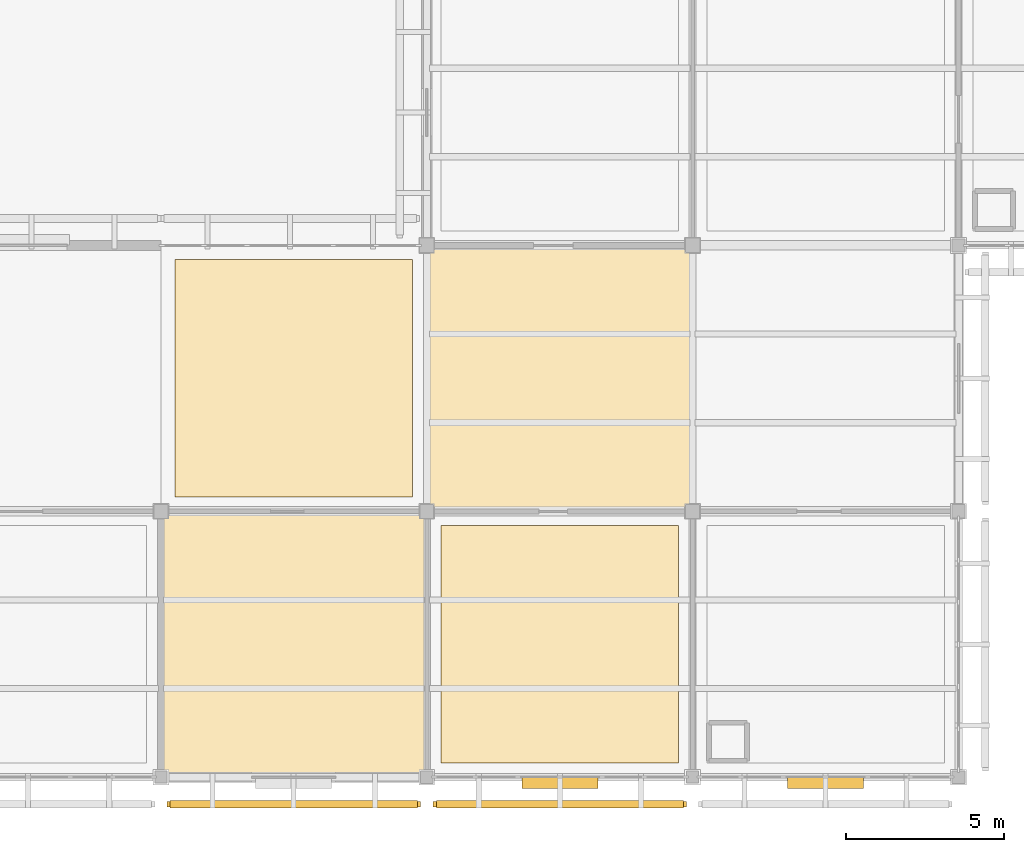
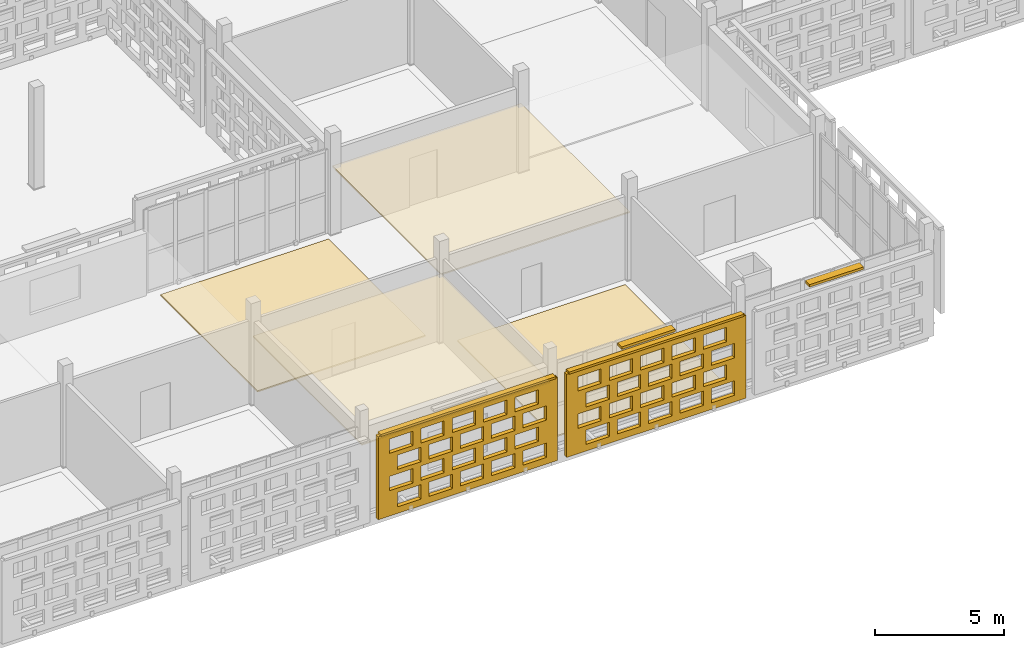
# One storey, part 138 of 203: 6 coverings, 4 shading devices, 40 openings.
"""IFC4 building model written with IfcOpenShell, lengths in metres."""

from ifc_helpers import new_model, si_unit, direction, frame, frame_2d, origin, origin_2d, place, context, subcontext, project, spatial, rectangle, extrude, material, layer, layer_set, type_object, element, save


model = new_model("IFC4")

# Units and contexts
model_context = context("Model", 3, precision=1e-05, world=origin(), true_north=direction((0.0, 1.0)))
body_context = subcontext(model_context, "Body", "Model", "MODEL_VIEW")
ifc_project = project(units=[si_unit("LENGTHUNIT", "METRE"), si_unit("AREAUNIT", "SQUARE_METRE"), si_unit("VOLUMEUNIT", "CUBIC_METRE"), si_unit("PLANEANGLEUNIT", "RADIAN"), si_unit("MASSUNIT", "GRAM", prefix="KILO")], contexts=[model_context])

# Site, building, storey
site_placement = place(None, origin())
site = spatial("IfcSite", under=ifc_project, at=site_placement, CompositionType="ELEMENT")
building_placement = place(site_placement, origin())
building = spatial("IfcBuilding", under=site, at=building_placement, Name="Varnapada Polytechnic", CompositionType="ELEMENT")
storey_placement = place(building_placement, frame((0.0, 0.0, 4.800048828125)))
storey = spatial("IfcBuildingStorey", under=building, at=storey_placement, Name="L01", CompositionType="ELEMENT", Elevation=4.800048828125)

# Coverings
ifc_material_1 = material(Name="Anti-Static Raised Laboratory Flooring")
ifc_layer_1 = layer(ifc_material_1, 0.06005859375)
ifc_layer_set_1 = layer_set([ifc_layer_1], Name="Anti-Static Raised Laboratory Flooring")
covering_type_1 = type_object("IfcCoveringType", Name="Floor Finish FLR-02", PredefinedType="FLOORING", material=ifc_layer_set_1)
for number, where, z_axis, x_axis, name in (
    (1, (37.800048828125, 12.60009765625, 0.0), (0.0, 0.0, 1.0), (1.0, 0.0, 0.0), "L01 floor finish panel (5,2)"),
    (2, (46.199951171875, 4.199951171875, 0.0), (0.0, 0.0, 1.0), (1.0, 0.0, 0.0), "L01 floor finish panel (6,1)"),
):
    element("IfcCovering", number, at=place(storey_placement, frame(where, z_axis=z_axis, x_axis=x_axis)), inside=storey, type_object=covering_type_1, Name=name, PredefinedType="FLOORING", context=body_context, shape_type="SweptSolid", body=[
        extrude(rectangle(XDim=7.5, YDim=7.5, at=origin_2d()), origin(), (0.0, 0.0, 1.0), 0.06005859375),
    ])

# Shading devices
ifc_material_2 = material(Name="Anodised aluminium", Category="aluminium")
ifc_layer_2 = layer(ifc_material_2, 0.35009765625)
ifc_layer_set_2 = layer_set([ifc_layer_2], Name="Anodised aluminium")
shading_device_type_1 = type_object("IfcShadingDeviceType", Name="Solar Louvre LVR-01", PredefinedType="JALOUSIE", material=ifc_layer_set_2)
for number, where, z_axis, x_axis, name in (
    (3, (46.205078125, -0.179931640625, 3.760009765625), (0.0, 0.0, 1.0), (-1.0, 0.0, 0.0), "L01 aluminium sun louvre 37"),
    (4, (54.594970703125, -0.179931640625, 3.760009765625), (0.0, 0.0, 1.0), (-1.0, 0.0, 0.0), "L01 aluminium sun louvre 43"),
):
    element("IfcShadingDevice", number, at=place(storey_placement, frame(where, z_axis=z_axis, x_axis=x_axis)), inside=storey, type_object=shading_device_type_1, Name=name, PredefinedType="JALOUSIE", context=body_context, shape_type="SweptSolid", body=[
        extrude(rectangle(XDim=2.39990234375, YDim=0.340087890625, at=origin_2d()), origin(), (0.0, 0.0, 1.0), 0.1201171875),
    ])

# Coverings
ifc_material_3 = material(Name="Deep Acoustic Auditorium Cloud Baffle")
ifc_layer_3 = layer(ifc_material_3, 0.06494140625)
ifc_layer_set_3 = layer_set([ifc_layer_3], Name="Deep Acoustic Auditorium Cloud Baffle")
covering_type_2 = type_object("IfcCoveringType", Name="Suspended Ceiling CLG-07", PredefinedType="CEILING", material=ifc_layer_set_3)
for number, where, z_axis, x_axis, name in (
    (5, (37.800048828125, 4.199951171875, 3.017578125), (0.0, 0.0, 1.0), (1.0, 0.0, 0.0), "L01 suspended acoustic ceiling (5,1)"),
    (6, (46.199951171875, 12.60009765625, 3.017578125), (0.0, 0.0, 1.0), (1.0, 0.0, 0.0), "L01 suspended acoustic ceiling (6,2)"),
):
    element("IfcCovering", number, at=place(storey_placement, frame(where, z_axis=z_axis, x_axis=x_axis)), inside=storey, type_object=covering_type_2, Name=name, PredefinedType="CEILING", context=body_context, shape_type="SweptSolid", body=[
        extrude(rectangle(XDim=8.419921875, YDim=8.419921875, at=origin_2d()), origin(), (0.0, 0.0, 1.0), 0.06494140625),
    ])

# Covering, openings
ifc_material_4 = material(Name="Earth-toned architectural terracotta screen block", Category="masonry")
ifc_layer_4 = layer(ifc_material_4, 0.1201171875)
ifc_layer_set_4 = layer_set([ifc_layer_4], Name="Earth-toned architectural terracotta screen block")
covering_type_3 = type_object("IfcCoveringType", Name="Terracotta Screen Cladding CLD-01", PredefinedType="CLADDING", material=ifc_layer_set_4)
covering_1_placement = place(storey_placement, frame((41.800048828125, -0.85009765625, 0.0), z_axis=(0.0, 0.0, 1.0), x_axis=(-1.0, 0.0, 0.0)))
covering_1 = element("IfcCovering", 7, at=covering_1_placement, inside=storey, type_object=covering_type_3, Name="L01 perforated terracotta block screen (28)", PredefinedType="CLADDING", context=body_context, shape_type="SweptSolid", body=[
    extrude(rectangle(XDim=8.010009765625, YDim=0.179931640625, at=frame_2d((4.0048828125, 0.0))), origin(), (0.0, 0.0, 1.0), 3.919921875),
])
opening_1_placement = place(covering_1_placement, frame((0.5048828125, 0.0, 0.313720703125)))
element("IfcOpeningElement", 8, at=opening_1_placement, cuts=covering_1, Name="Screen perforation TBS-L01-027.1", PredefinedType="OPENING", context=body_context, shape_type="SweptSolid", body=[
    extrude(rectangle(XDim=1.0400390625, YDim=0.679931640625, at=frame_2d((0.52001953125, 0.33984375))), frame((0.0, 0.099853515625, 0.0), z_axis=(0.0, -1.0, 0.0), x_axis=(1.0, 0.0, 0.0)), (0.0, 0.0, 1.0), 0.199951171875),
])
opening_2_placement = place(covering_1_placement, frame((1.905029296875, 0.0, 0.313720703125)))
element("IfcOpeningElement", 9, at=opening_2_placement, cuts=covering_1, Name="Screen perforation TBS-L01-027.2", PredefinedType="OPENING", context=body_context, shape_type="SweptSolid", body=[
    extrude(rectangle(XDim=1.0400390625, YDim=0.679931640625, at=frame_2d((0.52001953125, 0.33984375))), frame((0.0, 0.099853515625, 0.0), z_axis=(0.0, -1.0, 0.0), x_axis=(1.0, 0.0, 0.0)), (0.0, 0.0, 1.0), 0.199951171875),
])
opening_3_placement = place(covering_1_placement, frame((3.304931640625, 0.0, 0.313720703125)))
element("IfcOpeningElement", 10, at=opening_3_placement, cuts=covering_1, Name="Screen perforation TBS-L01-027.3", PredefinedType="OPENING", context=body_context, shape_type="SweptSolid", body=[
    extrude(rectangle(XDim=1.0400390625, YDim=0.679931640625, at=frame_2d((0.52001953125, 0.33984375))), frame((0.0, 0.099853515625, 0.0), z_axis=(0.0, -1.0, 0.0), x_axis=(1.0, 0.0, 0.0)), (0.0, 0.0, 1.0), 0.199951171875),
])
opening_4_placement = place(covering_1_placement, frame((4.705078125, 0.0, 0.313720703125)))
element("IfcOpeningElement", 11, at=opening_4_placement, cuts=covering_1, Name="Screen perforation TBS-L01-027.4", PredefinedType="OPENING", context=body_context, shape_type="SweptSolid", body=[
    extrude(rectangle(XDim=1.0400390625, YDim=0.679931640625, at=frame_2d((0.52001953125, 0.33984375))), frame((0.0, 0.099853515625, 0.0), z_axis=(0.0, -1.0, 0.0), x_axis=(1.0, 0.0, 0.0)), (0.0, 0.0, 1.0), 0.199951171875),
])
opening_5_placement = place(covering_1_placement, frame((6.10498046875, 0.0, 0.313720703125)))
element("IfcOpeningElement", 12, at=opening_5_placement, cuts=covering_1, Name="Screen perforation TBS-L01-027.5", PredefinedType="OPENING", context=body_context, shape_type="SweptSolid", body=[
    extrude(rectangle(XDim=1.0400390625, YDim=0.679931640625, at=frame_2d((0.52001953125, 0.33984375))), frame((0.0, 0.099853515625, 0.0), z_axis=(0.0, -1.0, 0.0), x_axis=(1.0, 0.0, 0.0)), (0.0, 0.0, 1.0), 0.199951171875),
])
opening_6_placement = place(covering_1_placement, frame((0.864990234375, 0.0, 1.195556640625)))
element("IfcOpeningElement", 13, at=opening_6_placement, cuts=covering_1, Name="Screen perforation TBS-L01-027.6", PredefinedType="OPENING", context=body_context, shape_type="SweptSolid", body=[
    extrude(rectangle(XDim=1.0400390625, YDim=0.679931640625, at=frame_2d((0.52001953125, 0.33984375))), frame((0.0, 0.099853515625, 0.0), z_axis=(0.0, -1.0, 0.0), x_axis=(1.0, 0.0, 0.0)), (0.0, 0.0, 1.0), 0.199951171875),
])
opening_7_placement = place(covering_1_placement, frame((2.264892578125, 0.0, 1.195556640625)))
element("IfcOpeningElement", 14, at=opening_7_placement, cuts=covering_1, Name="Screen perforation TBS-L01-027.7", PredefinedType="OPENING", context=body_context, shape_type="SweptSolid", body=[
    extrude(rectangle(XDim=1.0400390625, YDim=0.679931640625, at=frame_2d((0.52001953125, 0.33984375))), frame((0.0, 0.099853515625, 0.0), z_axis=(0.0, -1.0, 0.0), x_axis=(1.0, 0.0, 0.0)), (0.0, 0.0, 1.0), 0.199951171875),
])
opening_8_placement = place(covering_1_placement, frame((3.6650390625, 0.0, 1.195556640625)))
element("IfcOpeningElement", 15, at=opening_8_placement, cuts=covering_1, Name="Screen perforation TBS-L01-027.8", PredefinedType="OPENING", context=body_context, shape_type="SweptSolid", body=[
    extrude(rectangle(XDim=1.0400390625, YDim=0.679931640625, at=frame_2d((0.52001953125, 0.33984375))), frame((0.0, 0.099853515625, 0.0), z_axis=(0.0, -1.0, 0.0), x_axis=(1.0, 0.0, 0.0)), (0.0, 0.0, 1.0), 0.199951171875),
])
opening_9_placement = place(covering_1_placement, frame((5.06494140625, 0.0, 1.195556640625)))
element("IfcOpeningElement", 16, at=opening_9_placement, cuts=covering_1, Name="Screen perforation TBS-L01-027.9", PredefinedType="OPENING", context=body_context, shape_type="SweptSolid", body=[
    extrude(rectangle(XDim=1.0400390625, YDim=0.679931640625, at=frame_2d((0.52001953125, 0.33984375))), frame((0.0, 0.099853515625, 0.0), z_axis=(0.0, -1.0, 0.0), x_axis=(1.0, 0.0, 0.0)), (0.0, 0.0, 1.0), 0.199951171875),
])
opening_10_placement = place(covering_1_placement, frame((6.465087890625, 0.0, 1.195556640625)))
element("IfcOpeningElement", 17, at=opening_10_placement, cuts=covering_1, Name="Screen perforation TBS-L01-027.10", PredefinedType="OPENING", context=body_context, shape_type="SweptSolid", body=[
    extrude(rectangle(XDim=1.0400390625, YDim=0.679931640625, at=frame_2d((0.52001953125, 0.33984375))), frame((0.0, 0.099853515625, 0.0), z_axis=(0.0, -1.0, 0.0), x_axis=(1.0, 0.0, 0.0)), (0.0, 0.0, 1.0), 0.199951171875),
])
opening_11_placement = place(covering_1_placement, frame((0.5048828125, 0.0, 2.07763671875)))
element("IfcOpeningElement", 18, at=opening_11_placement, cuts=covering_1, Name="Screen perforation TBS-L01-027.11", PredefinedType="OPENING", context=body_context, shape_type="SweptSolid", body=[
    extrude(rectangle(XDim=1.0400390625, YDim=0.679931640625, at=frame_2d((0.52001953125, 0.33984375))), frame((0.0, 0.099853515625, 0.0), z_axis=(0.0, -1.0, 0.0), x_axis=(1.0, 0.0, 0.0)), (0.0, 0.0, 1.0), 0.199951171875),
])
opening_12_placement = place(covering_1_placement, frame((1.905029296875, 0.0, 2.07763671875)))
element("IfcOpeningElement", 19, at=opening_12_placement, cuts=covering_1, Name="Screen perforation TBS-L01-027.12", PredefinedType="OPENING", context=body_context, shape_type="SweptSolid", body=[
    extrude(rectangle(XDim=1.0400390625, YDim=0.679931640625, at=frame_2d((0.52001953125, 0.33984375))), frame((0.0, 0.099853515625, 0.0), z_axis=(0.0, -1.0, 0.0), x_axis=(1.0, 0.0, 0.0)), (0.0, 0.0, 1.0), 0.199951171875),
])
opening_13_placement = place(covering_1_placement, frame((3.304931640625, 0.0, 2.07763671875)))
element("IfcOpeningElement", 20, at=opening_13_placement, cuts=covering_1, Name="Screen perforation TBS-L01-027.13", PredefinedType="OPENING", context=body_context, shape_type="SweptSolid", body=[
    extrude(rectangle(XDim=1.0400390625, YDim=0.679931640625, at=frame_2d((0.52001953125, 0.33984375))), frame((0.0, 0.099853515625, 0.0), z_axis=(0.0, -1.0, 0.0), x_axis=(1.0, 0.0, 0.0)), (0.0, 0.0, 1.0), 0.199951171875),
])
opening_14_placement = place(covering_1_placement, frame((4.705078125, 0.0, 2.07763671875)))
element("IfcOpeningElement", 21, at=opening_14_placement, cuts=covering_1, Name="Screen perforation TBS-L01-027.14", PredefinedType="OPENING", context=body_context, shape_type="SweptSolid", body=[
    extrude(rectangle(XDim=1.0400390625, YDim=0.679931640625, at=frame_2d((0.52001953125, 0.33984375))), frame((0.0, 0.099853515625, 0.0), z_axis=(0.0, -1.0, 0.0), x_axis=(1.0, 0.0, 0.0)), (0.0, 0.0, 1.0), 0.199951171875),
])
opening_15_placement = place(covering_1_placement, frame((6.10498046875, 0.0, 2.07763671875)))
element("IfcOpeningElement", 22, at=opening_15_placement, cuts=covering_1, Name="Screen perforation TBS-L01-027.15", PredefinedType="OPENING", context=body_context, shape_type="SweptSolid", body=[
    extrude(rectangle(XDim=1.0400390625, YDim=0.679931640625, at=frame_2d((0.52001953125, 0.33984375))), frame((0.0, 0.099853515625, 0.0), z_axis=(0.0, -1.0, 0.0), x_axis=(1.0, 0.0, 0.0)), (0.0, 0.0, 1.0), 0.199951171875),
])
opening_16_placement = place(covering_1_placement, frame((0.864990234375, 0.0, 2.959716796875)))
element("IfcOpeningElement", 23, at=opening_16_placement, cuts=covering_1, Name="Screen perforation TBS-L01-027.16", PredefinedType="OPENING", context=body_context, shape_type="SweptSolid", body=[
    extrude(rectangle(XDim=1.0400390625, YDim=0.679931640625, at=frame_2d((0.52001953125, 0.33984375))), frame((0.0, 0.099853515625, 0.0), z_axis=(0.0, -1.0, 0.0), x_axis=(1.0, 0.0, 0.0)), (0.0, 0.0, 1.0), 0.199951171875),
])
opening_17_placement = place(covering_1_placement, frame((2.264892578125, 0.0, 2.959716796875)))
element("IfcOpeningElement", 24, at=opening_17_placement, cuts=covering_1, Name="Screen perforation TBS-L01-027.17", PredefinedType="OPENING", context=body_context, shape_type="SweptSolid", body=[
    extrude(rectangle(XDim=1.0400390625, YDim=0.679931640625, at=frame_2d((0.52001953125, 0.33984375))), frame((0.0, 0.099853515625, 0.0), z_axis=(0.0, -1.0, 0.0), x_axis=(1.0, 0.0, 0.0)), (0.0, 0.0, 1.0), 0.199951171875),
])
opening_18_placement = place(covering_1_placement, frame((3.6650390625, 0.0, 2.959716796875)))
element("IfcOpeningElement", 25, at=opening_18_placement, cuts=covering_1, Name="Screen perforation TBS-L01-027.18", PredefinedType="OPENING", context=body_context, shape_type="SweptSolid", body=[
    extrude(rectangle(XDim=1.0400390625, YDim=0.679931640625, at=frame_2d((0.52001953125, 0.33984375))), frame((0.0, 0.099853515625, 0.0), z_axis=(0.0, -1.0, 0.0), x_axis=(1.0, 0.0, 0.0)), (0.0, 0.0, 1.0), 0.199951171875),
])
opening_19_placement = place(covering_1_placement, frame((5.06494140625, 0.0, 2.959716796875)))
element("IfcOpeningElement", 26, at=opening_19_placement, cuts=covering_1, Name="Screen perforation TBS-L01-027.19", PredefinedType="OPENING", context=body_context, shape_type="SweptSolid", body=[
    extrude(rectangle(XDim=1.0400390625, YDim=0.679931640625, at=frame_2d((0.52001953125, 0.33984375))), frame((0.0, 0.099853515625, 0.0), z_axis=(0.0, -1.0, 0.0), x_axis=(1.0, 0.0, 0.0)), (0.0, 0.0, 1.0), 0.199951171875),
])
opening_20_placement = place(covering_1_placement, frame((6.465087890625, 0.0, 2.959716796875)))
element("IfcOpeningElement", 27, at=opening_20_placement, cuts=covering_1, Name="Screen perforation TBS-L01-027.20", PredefinedType="OPENING", context=body_context, shape_type="SweptSolid", body=[
    extrude(rectangle(XDim=1.0400390625, YDim=0.679931640625, at=frame_2d((0.52001953125, 0.33984375))), frame((0.0, 0.099853515625, 0.0), z_axis=(0.0, -1.0, 0.0), x_axis=(1.0, 0.0, 0.0)), (0.0, 0.0, 1.0), 0.199951171875),
])

covering_2_placement = place(storey_placement, frame((50.2099609375, -0.85009765625, 0.0), z_axis=(0.0, 0.0, 1.0), x_axis=(-1.0, 0.0, 0.0)))
covering_2 = element("IfcCovering", 28, at=covering_2_placement, inside=storey, type_object=covering_type_3, Name="L01 perforated terracotta block screen (37)", PredefinedType="CLADDING", context=body_context, shape_type="SweptSolid", body=[
    extrude(rectangle(XDim=8.010009765625, YDim=0.179931640625, at=frame_2d((4.0048828125, 0.0))), origin(), (0.0, 0.0, 1.0), 3.919921875),
])
opening_21_placement = place(covering_2_placement, frame((0.5048828125, 0.0, 0.313720703125)))
element("IfcOpeningElement", 29, at=opening_21_placement, cuts=covering_2, Name="Screen perforation TBS-L01-036.1", PredefinedType="OPENING", context=body_context, shape_type="SweptSolid", body=[
    extrude(rectangle(XDim=1.0400390625, YDim=0.679931640625, at=frame_2d((0.52001953125, 0.33984375))), frame((0.0, 0.099853515625, 0.0), z_axis=(0.0, -1.0, 0.0), x_axis=(1.0, 0.0, 0.0)), (0.0, 0.0, 1.0), 0.199951171875),
])
opening_22_placement = place(covering_2_placement, frame((1.905029296875, 0.0, 0.313720703125)))
element("IfcOpeningElement", 30, at=opening_22_placement, cuts=covering_2, Name="Screen perforation TBS-L01-036.2", PredefinedType="OPENING", context=body_context, shape_type="SweptSolid", body=[
    extrude(rectangle(XDim=1.0400390625, YDim=0.679931640625, at=frame_2d((0.52001953125, 0.33984375))), frame((0.0, 0.099853515625, 0.0), z_axis=(0.0, -1.0, 0.0), x_axis=(1.0, 0.0, 0.0)), (0.0, 0.0, 1.0), 0.199951171875),
])
opening_23_placement = place(covering_2_placement, frame((3.304931640625, 0.0, 0.313720703125)))
element("IfcOpeningElement", 31, at=opening_23_placement, cuts=covering_2, Name="Screen perforation TBS-L01-036.3", PredefinedType="OPENING", context=body_context, shape_type="SweptSolid", body=[
    extrude(rectangle(XDim=1.0400390625, YDim=0.679931640625, at=frame_2d((0.52001953125, 0.33984375))), frame((0.0, 0.099853515625, 0.0), z_axis=(0.0, -1.0, 0.0), x_axis=(1.0, 0.0, 0.0)), (0.0, 0.0, 1.0), 0.199951171875),
])
opening_24_placement = place(covering_2_placement, frame((4.705078125, 0.0, 0.313720703125)))
element("IfcOpeningElement", 32, at=opening_24_placement, cuts=covering_2, Name="Screen perforation TBS-L01-036.4", PredefinedType="OPENING", context=body_context, shape_type="SweptSolid", body=[
    extrude(rectangle(XDim=1.0400390625, YDim=0.679931640625, at=frame_2d((0.52001953125, 0.33984375))), frame((0.0, 0.099853515625, 0.0), z_axis=(0.0, -1.0, 0.0), x_axis=(1.0, 0.0, 0.0)), (0.0, 0.0, 1.0), 0.199951171875),
])
opening_25_placement = place(covering_2_placement, frame((6.10498046875, 0.0, 0.313720703125)))
element("IfcOpeningElement", 33, at=opening_25_placement, cuts=covering_2, Name="Screen perforation TBS-L01-036.5", PredefinedType="OPENING", context=body_context, shape_type="SweptSolid", body=[
    extrude(rectangle(XDim=1.0400390625, YDim=0.679931640625, at=frame_2d((0.52001953125, 0.33984375))), frame((0.0, 0.099853515625, 0.0), z_axis=(0.0, -1.0, 0.0), x_axis=(1.0, 0.0, 0.0)), (0.0, 0.0, 1.0), 0.199951171875),
])
opening_26_placement = place(covering_2_placement, frame((0.864990234375, 0.0, 1.195556640625)))
element("IfcOpeningElement", 34, at=opening_26_placement, cuts=covering_2, Name="Screen perforation TBS-L01-036.6", PredefinedType="OPENING", context=body_context, shape_type="SweptSolid", body=[
    extrude(rectangle(XDim=1.0400390625, YDim=0.679931640625, at=frame_2d((0.52001953125, 0.33984375))), frame((0.0, 0.099853515625, 0.0), z_axis=(0.0, -1.0, 0.0), x_axis=(1.0, 0.0, 0.0)), (0.0, 0.0, 1.0), 0.199951171875),
])
opening_27_placement = place(covering_2_placement, frame((2.264892578125, 0.0, 1.195556640625)))
element("IfcOpeningElement", 35, at=opening_27_placement, cuts=covering_2, Name="Screen perforation TBS-L01-036.7", PredefinedType="OPENING", context=body_context, shape_type="SweptSolid", body=[
    extrude(rectangle(XDim=1.0400390625, YDim=0.679931640625, at=frame_2d((0.52001953125, 0.33984375))), frame((0.0, 0.099853515625, 0.0), z_axis=(0.0, -1.0, 0.0), x_axis=(1.0, 0.0, 0.0)), (0.0, 0.0, 1.0), 0.199951171875),
])
opening_28_placement = place(covering_2_placement, frame((3.6650390625, 0.0, 1.195556640625)))
element("IfcOpeningElement", 36, at=opening_28_placement, cuts=covering_2, Name="Screen perforation TBS-L01-036.8", PredefinedType="OPENING", context=body_context, shape_type="SweptSolid", body=[
    extrude(rectangle(XDim=1.0400390625, YDim=0.679931640625, at=frame_2d((0.52001953125, 0.33984375))), frame((0.0, 0.099853515625, 0.0), z_axis=(0.0, -1.0, 0.0), x_axis=(1.0, 0.0, 0.0)), (0.0, 0.0, 1.0), 0.199951171875),
])
opening_29_placement = place(covering_2_placement, frame((5.06494140625, 0.0, 1.195556640625)))
element("IfcOpeningElement", 37, at=opening_29_placement, cuts=covering_2, Name="Screen perforation TBS-L01-036.9", PredefinedType="OPENING", context=body_context, shape_type="SweptSolid", body=[
    extrude(rectangle(XDim=1.0400390625, YDim=0.679931640625, at=frame_2d((0.52001953125, 0.33984375))), frame((0.0, 0.099853515625, 0.0), z_axis=(0.0, -1.0, 0.0), x_axis=(1.0, 0.0, 0.0)), (0.0, 0.0, 1.0), 0.199951171875),
])
opening_30_placement = place(covering_2_placement, frame((6.465087890625, 0.0, 1.195556640625)))
element("IfcOpeningElement", 38, at=opening_30_placement, cuts=covering_2, Name="Screen perforation TBS-L01-036.10", PredefinedType="OPENING", context=body_context, shape_type="SweptSolid", body=[
    extrude(rectangle(XDim=1.0400390625, YDim=0.679931640625, at=frame_2d((0.52001953125, 0.33984375))), frame((0.0, 0.099853515625, 0.0), z_axis=(0.0, -1.0, 0.0), x_axis=(1.0, 0.0, 0.0)), (0.0, 0.0, 1.0), 0.199951171875),
])
opening_31_placement = place(covering_2_placement, frame((0.5048828125, 0.0, 2.07763671875)))
element("IfcOpeningElement", 39, at=opening_31_placement, cuts=covering_2, Name="Screen perforation TBS-L01-036.11", PredefinedType="OPENING", context=body_context, shape_type="SweptSolid", body=[
    extrude(rectangle(XDim=1.0400390625, YDim=0.679931640625, at=frame_2d((0.52001953125, 0.33984375))), frame((0.0, 0.099853515625, 0.0), z_axis=(0.0, -1.0, 0.0), x_axis=(1.0, 0.0, 0.0)), (0.0, 0.0, 1.0), 0.199951171875),
])
opening_32_placement = place(covering_2_placement, frame((1.905029296875, 0.0, 2.07763671875)))
element("IfcOpeningElement", 40, at=opening_32_placement, cuts=covering_2, Name="Screen perforation TBS-L01-036.12", PredefinedType="OPENING", context=body_context, shape_type="SweptSolid", body=[
    extrude(rectangle(XDim=1.0400390625, YDim=0.679931640625, at=frame_2d((0.52001953125, 0.33984375))), frame((0.0, 0.099853515625, 0.0), z_axis=(0.0, -1.0, 0.0), x_axis=(1.0, 0.0, 0.0)), (0.0, 0.0, 1.0), 0.199951171875),
])
opening_33_placement = place(covering_2_placement, frame((3.304931640625, 0.0, 2.07763671875)))
element("IfcOpeningElement", 41, at=opening_33_placement, cuts=covering_2, Name="Screen perforation TBS-L01-036.13", PredefinedType="OPENING", context=body_context, shape_type="SweptSolid", body=[
    extrude(rectangle(XDim=1.0400390625, YDim=0.679931640625, at=frame_2d((0.52001953125, 0.33984375))), frame((0.0, 0.099853515625, 0.0), z_axis=(0.0, -1.0, 0.0), x_axis=(1.0, 0.0, 0.0)), (0.0, 0.0, 1.0), 0.199951171875),
])
opening_34_placement = place(covering_2_placement, frame((4.705078125, 0.0, 2.07763671875)))
element("IfcOpeningElement", 42, at=opening_34_placement, cuts=covering_2, Name="Screen perforation TBS-L01-036.14", PredefinedType="OPENING", context=body_context, shape_type="SweptSolid", body=[
    extrude(rectangle(XDim=1.0400390625, YDim=0.679931640625, at=frame_2d((0.52001953125, 0.33984375))), frame((0.0, 0.099853515625, 0.0), z_axis=(0.0, -1.0, 0.0), x_axis=(1.0, 0.0, 0.0)), (0.0, 0.0, 1.0), 0.199951171875),
])
opening_35_placement = place(covering_2_placement, frame((6.10498046875, 0.0, 2.07763671875)))
element("IfcOpeningElement", 43, at=opening_35_placement, cuts=covering_2, Name="Screen perforation TBS-L01-036.15", PredefinedType="OPENING", context=body_context, shape_type="SweptSolid", body=[
    extrude(rectangle(XDim=1.0400390625, YDim=0.679931640625, at=frame_2d((0.52001953125, 0.33984375))), frame((0.0, 0.099853515625, 0.0), z_axis=(0.0, -1.0, 0.0), x_axis=(1.0, 0.0, 0.0)), (0.0, 0.0, 1.0), 0.199951171875),
])
opening_36_placement = place(covering_2_placement, frame((0.864990234375, 0.0, 2.959716796875)))
element("IfcOpeningElement", 44, at=opening_36_placement, cuts=covering_2, Name="Screen perforation TBS-L01-036.16", PredefinedType="OPENING", context=body_context, shape_type="SweptSolid", body=[
    extrude(rectangle(XDim=1.0400390625, YDim=0.679931640625, at=frame_2d((0.52001953125, 0.33984375))), frame((0.0, 0.099853515625, 0.0), z_axis=(0.0, -1.0, 0.0), x_axis=(1.0, 0.0, 0.0)), (0.0, 0.0, 1.0), 0.199951171875),
])
opening_37_placement = place(covering_2_placement, frame((2.264892578125, 0.0, 2.959716796875)))
element("IfcOpeningElement", 45, at=opening_37_placement, cuts=covering_2, Name="Screen perforation TBS-L01-036.17", PredefinedType="OPENING", context=body_context, shape_type="SweptSolid", body=[
    extrude(rectangle(XDim=1.0400390625, YDim=0.679931640625, at=frame_2d((0.52001953125, 0.33984375))), frame((0.0, 0.099853515625, 0.0), z_axis=(0.0, -1.0, 0.0), x_axis=(1.0, 0.0, 0.0)), (0.0, 0.0, 1.0), 0.199951171875),
])
opening_38_placement = place(covering_2_placement, frame((3.6650390625, 0.0, 2.959716796875)))
element("IfcOpeningElement", 46, at=opening_38_placement, cuts=covering_2, Name="Screen perforation TBS-L01-036.18", PredefinedType="OPENING", context=body_context, shape_type="SweptSolid", body=[
    extrude(rectangle(XDim=1.0400390625, YDim=0.679931640625, at=frame_2d((0.52001953125, 0.33984375))), frame((0.0, 0.099853515625, 0.0), z_axis=(0.0, -1.0, 0.0), x_axis=(1.0, 0.0, 0.0)), (0.0, 0.0, 1.0), 0.199951171875),
])
opening_39_placement = place(covering_2_placement, frame((5.06494140625, 0.0, 2.959716796875)))
element("IfcOpeningElement", 47, at=opening_39_placement, cuts=covering_2, Name="Screen perforation TBS-L01-036.19", PredefinedType="OPENING", context=body_context, shape_type="SweptSolid", body=[
    extrude(rectangle(XDim=1.0400390625, YDim=0.679931640625, at=frame_2d((0.52001953125, 0.33984375))), frame((0.0, 0.099853515625, 0.0), z_axis=(0.0, -1.0, 0.0), x_axis=(1.0, 0.0, 0.0)), (0.0, 0.0, 1.0), 0.199951171875),
])
opening_40_placement = place(covering_2_placement, frame((6.465087890625, 0.0, 2.959716796875)))
element("IfcOpeningElement", 48, at=opening_40_placement, cuts=covering_2, Name="Screen perforation TBS-L01-036.20", PredefinedType="OPENING", context=body_context, shape_type="SweptSolid", body=[
    extrude(rectangle(XDim=1.0400390625, YDim=0.679931640625, at=frame_2d((0.52001953125, 0.33984375))), frame((0.0, 0.099853515625, 0.0), z_axis=(0.0, -1.0, 0.0), x_axis=(1.0, 0.0, 0.0)), (0.0, 0.0, 1.0), 0.199951171875),
])

# Shading devices
ifc_layer_5 = layer(ifc_material_4, 0.179931640625)
ifc_layer_set_5 = layer_set([ifc_layer_5], Name="Earth-toned architectural terracotta screen block")
shading_device_type_2 = type_object("IfcShadingDeviceType", Name="Terracotta Screen SCR-02", PredefinedType="USERDEFINED", material=ifc_layer_set_5)
for number, where, z_axis, x_axis, name in (
    (49, (37.794921875, -0.85009765625, 3.909912109375), (0.0, 0.0, 1.0), (-1.0, 0.0, 0.0), "L01 perforated terracotta screen hood 109"),
    (50, (46.205078125, -0.85009765625, 3.909912109375), (0.0, 0.0, 1.0), (-1.0, 0.0, 0.0), "L01 perforated terracotta screen hood 118"),
):
    element("IfcShadingDevice", number, at=place(storey_placement, frame(where, z_axis=z_axis, x_axis=x_axis)), inside=storey, type_object=shading_device_type_2, Name=name, ObjectType="SCREEN", PredefinedType="USERDEFINED", context=body_context, shape_type="SweptSolid", body=[
        extrude(rectangle(XDim=7.81005859375, YDim=0.239990234375, at=origin_2d()), origin(), (0.0, 0.0, 1.0), 0.10009765625),
    ])

save(model, "model.ifc")
